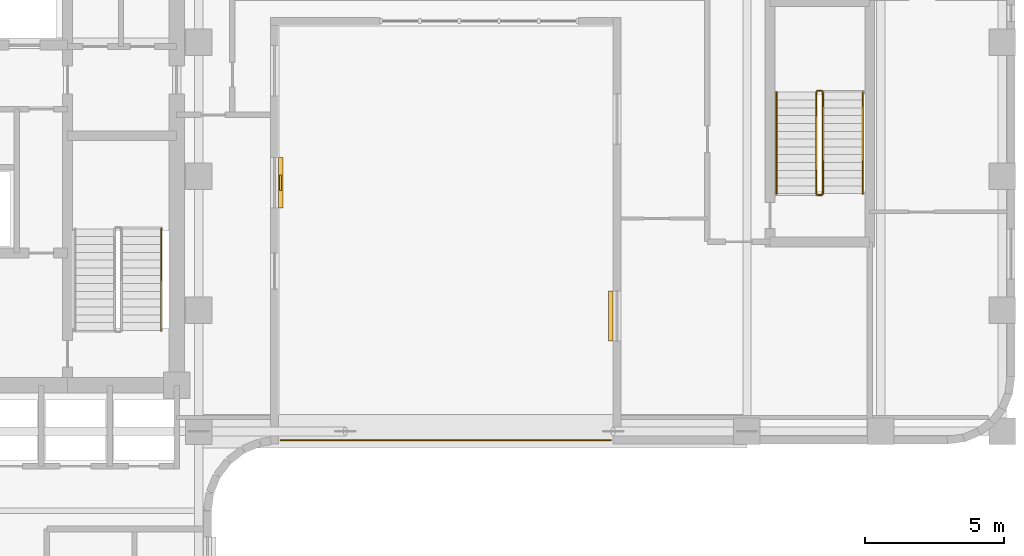
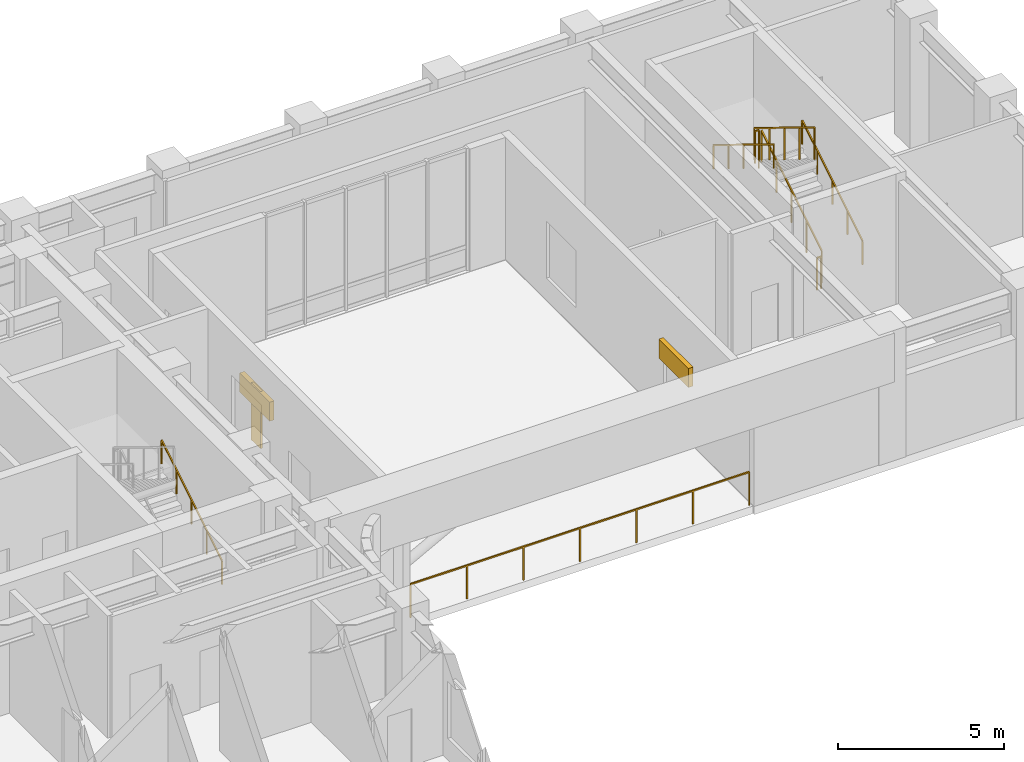
# One storey, part 11 of 12: 8 railings, 3 shading devices.
"""IFC4 building model written with IfcOpenShell, lengths in metres."""

from ifc_helpers import new_model, si_unit, direction, frame, origin, origin_2d, place, context, subcontext, project, spatial, rectangle, extrude, material, type_object, element, save


model = new_model("IFC4")

# Units and contexts
model_context = context("Model", 3, precision=1e-05, world=origin(), true_north=direction((0.0, 1.0)))
body_context = subcontext(model_context, "Body", "Model", "MODEL_VIEW")
ifc_project = project(units=[si_unit("LENGTHUNIT", "METRE"), si_unit("AREAUNIT", "SQUARE_METRE"), si_unit("VOLUMEUNIT", "CUBIC_METRE"), si_unit("PLANEANGLEUNIT", "RADIAN"), si_unit("MASSUNIT", "GRAM", prefix="KILO")], contexts=[model_context])

# Site, building, storey
site_placement = place(None, origin())
site = spatial("IfcSite", under=ifc_project, at=site_placement, CompositionType="ELEMENT")
building_placement = place(site_placement, origin())
building = spatial("IfcBuilding", under=site, at=building_placement, Name="Orvandelia Arch Residences", CompositionType="ELEMENT")
storey_placement = place(building_placement, frame((0.0, 0.0, 193.60009765625)))
storey = spatial("IfcBuildingStorey", under=building, at=storey_placement, Name="L51", CompositionType="ELEMENT", Elevation=193.60009765625)

# Railings
ifc_material_1 = material(Name="Marine-Grade Stainless Steel 316", Category="steel")
railing_type_1 = type_object("IfcRailingType", Name="GRD-TERR-1250", PredefinedType="GUARDRAIL", material=ifc_material_1)
railing_1_placement = place(storey_placement, frame((26.4951171875, 28.93359375, 0.0)))
element("IfcRailing", 1, at=railing_1_placement, inside=storey, type_object=railing_type_1, Name="Safety Balustrade Guard GRD-L51-TERR-L51-WAIST-1", PredefinedType="GUARDRAIL", context=body_context, shape_type="SweptSolid", body=[
    extrude(rectangle(XDim=0.048095703125, YDim=0.048095703125, at=origin_2d()), frame((0.0, 0.0, 1.22607421875), z_axis=(1.0, 0.0, 0.0), x_axis=(0.0, 1.0, 0.0)), (0.0, 0.0, 1.0), 11.809814453125),
    extrude(rectangle(XDim=0.0419921875, YDim=0.0419921875, at=origin_2d()), origin(), (0.0, 0.0, 1.0), 1.201904296875),
    extrude(rectangle(XDim=0.0419921875, YDim=0.0419921875, at=origin_2d()), frame((1.96826171875, 0.0, 0.0)), (0.0, 0.0, 1.0), 1.201904296875),
    extrude(rectangle(XDim=0.0419921875, YDim=0.0419921875, at=origin_2d()), frame((3.9365234375, 0.0, 0.0)), (0.0, 0.0, 1.0), 1.201904296875),
    extrude(rectangle(XDim=0.0419921875, YDim=0.0419921875, at=origin_2d()), frame((5.90478515625, 0.0, 0.0)), (0.0, 0.0, 1.0), 1.201904296875),
    extrude(rectangle(XDim=0.0419921875, YDim=0.0419921875, at=origin_2d()), frame((7.873291015625, 0.0, 0.0)), (0.0, 0.0, 1.0), 1.201904296875),
    extrude(rectangle(XDim=0.0419921875, YDim=0.0419921875, at=origin_2d()), frame((9.841552734375, 0.0, 0.0)), (0.0, 0.0, 1.0), 1.201904296875),
    extrude(rectangle(XDim=0.0419921875, YDim=0.0419921875, at=origin_2d()), frame((11.809814453125, 0.0, 0.0)), (0.0, 0.0, 1.0), 1.201904296875),
])
ifc_material_2 = material(Name="Brushed Stainless Steel 304", Category="steel")
railing_type_2 = type_object("IfcRailingType", Name="RL-STAIR-GD1120", PredefinedType="GUARDRAIL", material=ifc_material_2)
railing_2_placement = place(storey_placement, frame((45.929931640625, 37.77001953125, 0.17138671875)))
element("IfcRailing", 2, at=railing_2_placement, inside=storey, type_object=railing_type_2, Name="L51 ST-3 stair guard 1", PredefinedType="GUARDRAIL", context=body_context, shape_type="SweptSolid", body=[
    extrude(rectangle(XDim=0.048095703125, YDim=0.048095703125, at=origin_2d()), frame((0.0, 0.0, 1.17578125), z_axis=(0.0, 0.852850264322, 0.5221555579), x_axis=(-1.0, 0.0, 0.0)), (0.0, 0.0, 1.0), 4.267822265625),
    extrude(rectangle(XDim=0.0419921875, YDim=0.0419921875, at=origin_2d()), origin(), (0.0, 0.0, 1.0), 1.15185546875),
    extrude(rectangle(XDim=0.0419921875, YDim=0.0419921875, at=origin_2d()), frame((0.0, 0.909912109375, 0.55712890625)), (0.0, 0.0, 1.0), 1.15185546875),
    extrude(rectangle(XDim=0.0419921875, YDim=0.0419921875, at=origin_2d()), frame((0.0, 1.81982421875, 1.1142578125)), (0.0, 0.0, 1.0), 1.15185546875),
    extrude(rectangle(XDim=0.0419921875, YDim=0.0419921875, at=origin_2d()), frame((0.0, 2.72998046875, 1.67138671875)), (0.0, 0.0, 1.0), 1.15185546875),
    extrude(rectangle(XDim=0.0419921875, YDim=0.0419921875, at=origin_2d()), frame((0.0, 3.639892578125, 2.228515625)), (0.0, 0.0, 1.0), 1.15185546875),
])
railing_3_placement = place(storey_placement, frame((45.8798828125, 41.4599609375, 2.39990234375)))
element("IfcRailing", 3, at=railing_3_placement, inside=storey, type_object=railing_type_2, Name="L51 ST-3 stair guard 2", PredefinedType="GUARDRAIL", context=body_context, shape_type="SweptSolid", body=[
    extrude(rectangle(XDim=0.048095703125, YDim=0.048095703125, at=origin_2d()), frame((0.0, 0.0, 1.17578125), z_axis=(-1.0, 0.0, 0.0), x_axis=(0.0, -1.0, 0.0)), (0.0, 0.0, 1.0), 0.14990234375),
    extrude(rectangle(XDim=0.0419921875, YDim=0.0419921875, at=origin_2d()), origin(), (0.0, 0.0, 1.0), 1.15185546875),
    extrude(rectangle(XDim=0.0419921875, YDim=0.0419921875, at=origin_2d()), frame((-0.14990234375, 0.0, 0.0)), (0.0, 0.0, 1.0), 1.15185546875),
])
railing_4_placement = place(storey_placement, frame((45.679931640625, 41.409912109375, 2.5712890625)))
element("IfcRailing", 4, at=railing_4_placement, inside=storey, type_object=railing_type_2, Name="L51 ST-3 stair guard 3", PredefinedType="GUARDRAIL", context=body_context, shape_type="SweptSolid", body=[
    extrude(rectangle(XDim=0.048095703125, YDim=0.048095703125, at=origin_2d()), frame((0.0, 0.0, 1.17578125), z_axis=(0.0, -0.852850264322, 0.5221555579), x_axis=(1.0, 0.0, 0.0)), (0.0, 0.0, 1.0), 4.267822265625),
    extrude(rectangle(XDim=0.0419921875, YDim=0.0419921875, at=origin_2d()), origin(), (0.0, 0.0, 1.0), 1.15185546875),
    extrude(rectangle(XDim=0.0419921875, YDim=0.0419921875, at=origin_2d()), frame((0.0, -0.909912109375, 0.55712890625)), (0.0, 0.0, 1.0), 1.15185546875),
    extrude(rectangle(XDim=0.0419921875, YDim=0.0419921875, at=origin_2d()), frame((0.0, -1.81982421875, 1.1142578125)), (0.0, 0.0, 1.0), 1.15185546875),
    extrude(rectangle(XDim=0.0419921875, YDim=0.0419921875, at=origin_2d()), frame((0.0, -2.72998046875, 1.67138671875)), (0.0, 0.0, 1.0), 1.15185546875),
    extrude(rectangle(XDim=0.0419921875, YDim=0.0419921875, at=origin_2d()), frame((0.0, -3.639892578125, 2.228515625)), (0.0, 0.0, 1.0), 1.15185546875),
])
railing_5_placement = place(storey_placement, frame((45.8798828125, 37.719970703125, 0.0)))
element("IfcRailing", 5, at=railing_5_placement, inside=storey, type_object=railing_type_2, Name="L51 ST-3 stair guard 4", PredefinedType="GUARDRAIL", context=body_context, shape_type="SweptSolid", body=[
    extrude(rectangle(XDim=0.048095703125, YDim=0.048095703125, at=origin_2d()), frame((0.0, 0.0, 1.17578125), z_axis=(-1.0, 0.0, 0.0), x_axis=(0.0, -1.0, 0.0)), (0.0, 0.0, 1.0), 0.14990234375),
    extrude(rectangle(XDim=0.0419921875, YDim=0.0419921875, at=origin_2d()), origin(), (0.0, 0.0, 1.0), 1.15185546875),
    extrude(rectangle(XDim=0.0419921875, YDim=0.0419921875, at=origin_2d()), frame((-0.14990234375, 0.0, 0.0)), (0.0, 0.0, 1.0), 1.15185546875),
])
railing_type_3 = type_object("IfcRailingType", Name="RL-STAIR-HR920", PredefinedType="HANDRAIL", material=ifc_material_2)
for number, where, name in (
    (6, (22.199951171875, 32.8701171875, 0.3427734375), "L51 ST-2 stair handrail 1"),
    (7, (47.35009765625, 37.77001953125, 0.3427734375), "L51 ST-3 stair handrail 1"),
):
    element("IfcRailing", number, at=place(storey_placement, frame(where)), inside=storey, type_object=railing_type_3, Name=name, PredefinedType="HANDRAIL", context=body_context, shape_type="SweptSolid", body=[
        extrude(rectangle(XDim=0.048095703125, YDim=0.048095703125, at=origin_2d()), frame((0.0, 0.0, 0.8759765625), z_axis=(0.0, 0.852850264322, 0.5221555579), x_axis=(-1.0, 0.0, 0.0)), (0.0, 0.0, 1.0), 4.267822265625),
        extrude(rectangle(XDim=0.0419921875, YDim=0.0419921875, at=origin_2d()), origin(), (0.0, 0.0, 1.0), 0.851806640625),
        extrude(rectangle(XDim=0.0419921875, YDim=0.0419921875, at=origin_2d()), frame((0.0, 0.909912109375, 0.55712890625)), (0.0, 0.0, 1.0), 0.851806640625),
        extrude(rectangle(XDim=0.0419921875, YDim=0.0419921875, at=origin_2d()), frame((0.0, 1.81982421875, 1.1142578125)), (0.0, 0.0, 1.0), 0.851806640625),
        extrude(rectangle(XDim=0.0419921875, YDim=0.0419921875, at=origin_2d()), frame((0.0, 2.72998046875, 1.67138671875)), (0.0, 0.0, 1.0), 0.851806640625),
        extrude(rectangle(XDim=0.0419921875, YDim=0.0419921875, at=origin_2d()), frame((0.0, 3.639892578125, 2.228515625)), (0.0, 0.0, 1.0), 0.851806640625),
    ])
railing_6_placement = place(storey_placement, frame((44.260009765625, 41.409912109375, 2.74267578125)))
element("IfcRailing", 8, at=railing_6_placement, inside=storey, type_object=railing_type_3, Name="L51 ST-3 stair handrail 2", PredefinedType="HANDRAIL", context=body_context, shape_type="SweptSolid", body=[
    extrude(rectangle(XDim=0.048095703125, YDim=0.048095703125, at=origin_2d()), frame((0.0, 0.0, 0.8759765625), z_axis=(0.0, -0.852824790078, 0.522197163366), x_axis=(1.0, 0.0, 0.0)), (0.0, 0.0, 1.0), 4.26806640625),
    extrude(rectangle(XDim=0.0419921875, YDim=0.0419921875, at=origin_2d()), origin(), (0.0, 0.0, 1.0), 0.851806640625),
    extrude(rectangle(XDim=0.0419921875, YDim=0.0419921875, at=origin_2d()), frame((0.0, -0.909912109375, 0.55712890625)), (0.0, 0.0, 1.0), 0.851806640625),
    extrude(rectangle(XDim=0.0419921875, YDim=0.0419921875, at=origin_2d()), frame((0.0, -1.81982421875, 1.1142578125)), (0.0, 0.0, 1.0), 0.851806640625),
    extrude(rectangle(XDim=0.0419921875, YDim=0.0419921875, at=origin_2d()), frame((0.0, -2.72998046875, 1.671630859375)), (0.0, 0.0, 1.0), 0.851806640625),
    extrude(rectangle(XDim=0.0419921875, YDim=0.0419921875, at=origin_2d()), frame((0.0, -3.639892578125, 2.228759765625)), (0.0, 0.0, 1.0), 0.851806640625),
])

# Shading devices
ifc_material_3 = material(Name="Anodised Champagne-Bronze Extruded Aluminium", Category="aluminium")
shading_device_type_1 = type_object("IfcShadingDeviceType", Name="SHD-JALOUSIE-SCREEN", PredefinedType="JALOUSIE", material=ifc_material_3)
for number, where, z_axis, x_axis, name in (
    (9, (38.320068359375, 33.385009765625, 2.19970703125), (0.0, 0.0, 1.0), (0.0, 1.0, 0.0), "Bronze Jalousie Sun-Shade L51-002"),
    (10, (26.47998046875, 38.1650390625, 2.19970703125), (0.0, 0.0, 1.0), (0.0, -1.0, 0.0), "Bronze Jalousie Sun-Shade L51-003"),
):
    element("IfcShadingDevice", number, at=place(storey_placement, frame(where, z_axis=z_axis, x_axis=x_axis)), inside=storey, type_object=shading_device_type_1, Name=name, PredefinedType="JALOUSIE", context=body_context, shape_type="SweptSolid", body=[
        extrude(rectangle(XDim=1.800048828125, YDim=0.159912109375, at=origin_2d()), origin(), (0.0, 0.0, 1.0), 0.699951171875),
    ])
ifc_material_4 = material(Name="Marine-Grade Perforated Aluminium Storm Shutter", Category="aluminium")
shading_device_type_2 = type_object("IfcShadingDeviceType", Name="SHD-STORM-SHUTTER", PredefinedType="SHUTTER", material=ifc_material_4)
shading_device_placement = place(storey_placement, frame((26.47998046875, 38.1650390625, 0.7998046875), z_axis=(0.0, 0.0, 1.0), x_axis=(0.0, -1.0, 0.0)))
element("IfcShadingDevice", 11, at=shading_device_placement, inside=storey, type_object=shading_device_type_2, Name="Operable Typhoon Storm Shutter L51-003", PredefinedType="SHUTTER", context=body_context, shape_type="SweptSolid", body=[
    extrude(rectangle(XDim=0.550048828125, YDim=0.080078125, at=origin_2d()), origin(), (0.0, 0.0, 1.0), 2.10009765625),
])

save(model, "model.ifc")
